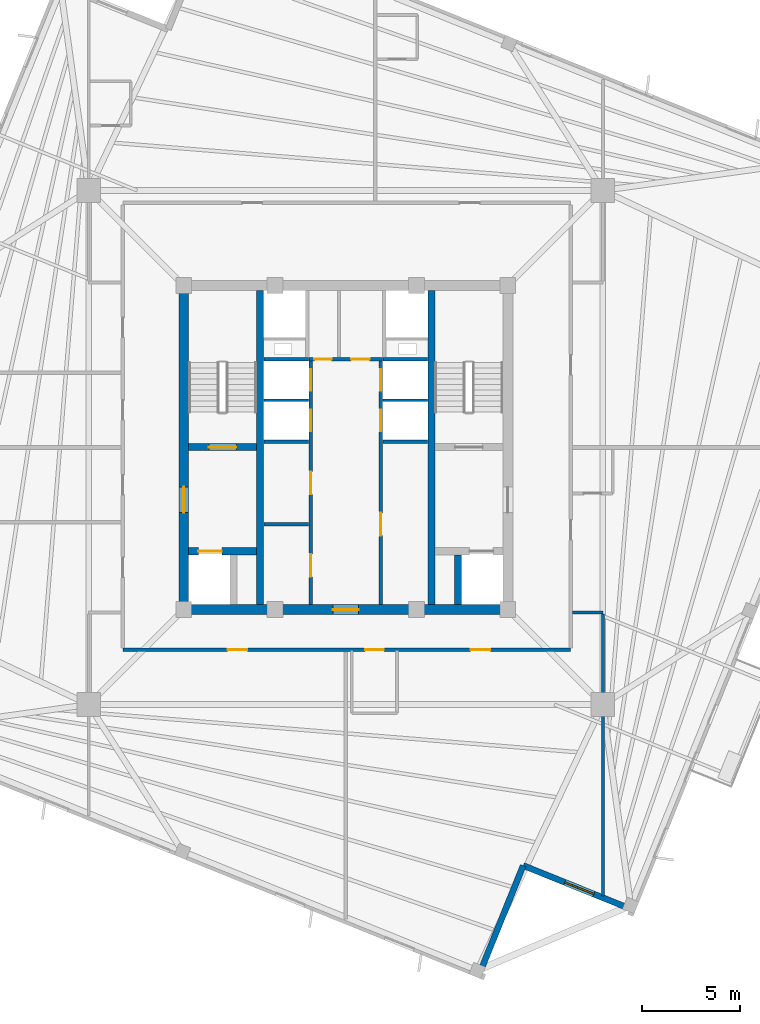
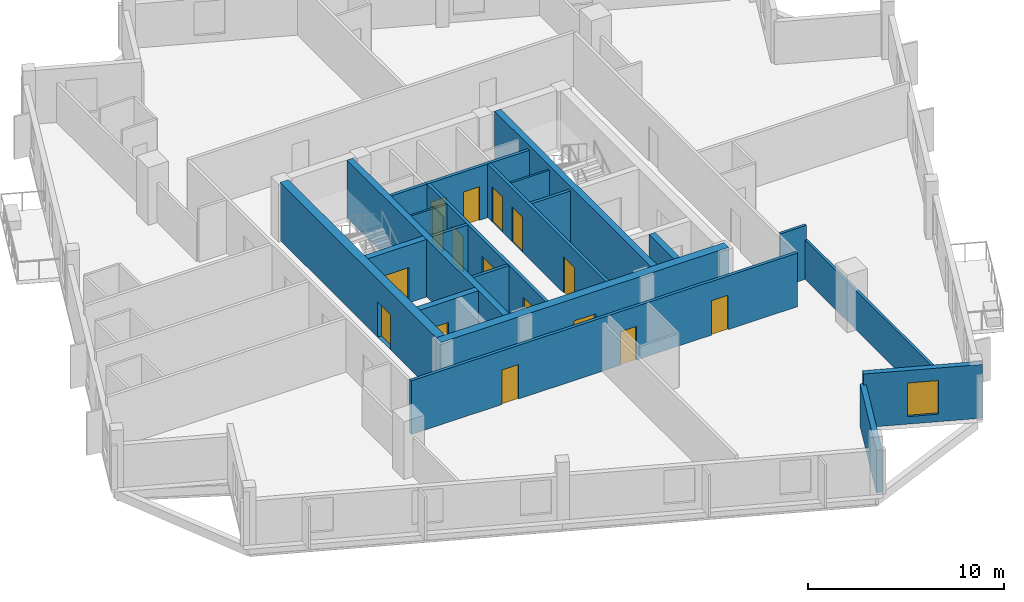
# One storey, part 3 of 8: 22 walls, 16 doors, 1 window, 17 openings.
"""IFC4 building model written with IfcOpenShell, lengths in metres."""

from ifc_helpers import new_model, si_unit, direction, frame, frame_2d, origin, place, context, subcontext, project, spatial, rectangle, extrude, source, transform, mapped, material, layer, layer_set, type_object, element, fill, save


model = new_model("IFC4")

# Units and contexts
model_context = context("Model", 3, precision=1e-05, world=origin(), true_north=direction((0.0, 1.0)))
body_context = subcontext(model_context, "Body", "Model", "MODEL_VIEW")
ifc_project = project(units=[si_unit("LENGTHUNIT", "METRE"), si_unit("AREAUNIT", "SQUARE_METRE"), si_unit("VOLUMEUNIT", "CUBIC_METRE"), si_unit("PLANEANGLEUNIT", "RADIAN"), si_unit("MASSUNIT", "GRAM", prefix="KILO"), si_unit("THERMODYNAMICTEMPERATUREUNIT", "KELVIN")], contexts=[model_context])

# Site, building, storey
site_placement = place(None, origin())
site = spatial("IfcSite", under=ifc_project, at=site_placement, CompositionType="ELEMENT")
building_placement = place(site_placement, origin())
building = spatial("IfcBuilding", under=site, at=building_placement, Name="Kosmvard Interchange Tower", CompositionType="ELEMENT")
storey_placement = place(building_placement, frame((0.0, 0.0, 294.0)))
storey = spatial("IfcBuildingStorey", under=building, at=storey_placement, Name="L72", CompositionType="ELEMENT", Elevation=294.0)

# Walls
ifc_material_1 = material(Name="Acoustic gypsum partition system")
ifc_layer_1 = layer(ifc_material_1, 0.14990234375, Name="Acoustic gypsum partition system")
ifc_layer_set_1 = layer_set([ifc_layer_1], Name="Acoustic gypsum partition system")
wall_type_1 = type_object("IfcWallType", Name="Acoustic Suite & Meeting Partition 150", PredefinedType="PARTITIONING", material=ifc_layer_set_1)
wall_1_placement = place(storey_placement, frame((11.544921875, -8.39990234375, 0.0), z_axis=(0.0, 0.0, 1.0), x_axis=(1.0, 0.0, 0.0)))
element("IfcWall", 1, at=wall_1_placement, inside=storey, type_object=wall_type_1, Name="L72 Room Partition 11.1", PredefinedType="PARTITIONING", context=body_context, shape_type="SweptSolid", body=[
    extrude(rectangle(XDim=1.5361328125, YDim=0.14990234375, at=frame_2d((0.76806640625, 0.0))), origin(), (0.0, 0.0, 1.0), 3.35009765625),
])
wall_2_placement = place(storey_placement, frame((13.0810546875, -8.47509765625, 0.0), z_axis=(0.0, 0.0, 1.0), x_axis=(0.0, -1.0, 0.0)))
element("IfcWall", 2, at=wall_2_placement, inside=storey, type_object=wall_type_1, Name="L72 Room Partition 12.1", PredefinedType="PARTITIONING", context=body_context, shape_type="SweptSolid", body=[
    extrude(rectangle(XDim=14.341552734375, YDim=0.14990234375, at=frame_2d((7.1708984375, 0.0))), origin(), (0.0, 0.0, 1.0), 2.449951171875),
])

# Wall, openings, doors
ifc_material_2 = material(Name="Fire-rated gypsum partition system")
ifc_layer_2 = layer(ifc_material_2, 0.179931640625, Name="Fire-rated gypsum partition system")
ifc_layer_set_2 = layer_set([ifc_layer_2], Name="Fire-rated gypsum partition system")
wall_type_2 = type_object("IfcWallType", Name="Corridor & Hotel Compartment Partition 180", PredefinedType="PARTITIONING", material=ifc_layer_set_2)
wall_3_placement = place(storey_placement, frame((-1.7900390625, -7.97998046875, 0.0), z_axis=(0.0, 0.0, 1.0), x_axis=(0.0, 1.0, 0.0)))
wall_3 = element("IfcWall", 3, at=wall_3_placement, inside=storey, type_object=wall_type_2, Name="L72 West Lift Bank Front Wall", PredefinedType="PARTITIONING", context=body_context, shape_type="SweptSolid", body=[
    extrude(rectangle(XDim=12.3798828125, YDim=0.179931640625, at=frame_2d((6.18994140625, 0.0))), origin(), (0.0, 0.0, 1.0), 3.35009765625),
])
opening_1_placement = place(wall_3_placement, frame((8.800048828125, 0.0, 0.0)))
opening_1 = element("IfcOpeningElement", 4, at=opening_1_placement, cuts=wall_3, Name="Opening LD-PL-H1-L72", PredefinedType="OPENING", context=body_context, shape_type="SweptSolid", body=[
    extrude(rectangle(XDim=1.10009765625, YDim=2.199951171875, at=frame_2d((0.550048828125, 1.10009765625))), frame((0.0, 0.10009765625, 0.0), z_axis=(0.0, -1.0, 0.0), x_axis=(1.0, 0.0, 0.0)), (0.0, 0.0, 1.0), 0.199951171875),
])
opening_2_placement = place(wall_3_placement, frame((10.860107421875, 0.0, 0.0)))
opening_2 = element("IfcOpeningElement", 5, at=opening_2_placement, cuts=wall_3, Name="Opening LD-PL-H2-L72", PredefinedType="OPENING", context=body_context, shape_type="SweptSolid", body=[
    extrude(rectangle(XDim=1.10009765625, YDim=2.199951171875, at=frame_2d((0.550048828125, 1.10009765625))), frame((0.0, 0.10009765625, 0.0), z_axis=(0.0, -1.0, 0.0), x_axis=(1.0, 0.0, 0.0)), (0.0, 0.0, 1.0), 0.199951171875),
])
opening_3_placement = place(wall_3_placement, frame((1.39990234375, 0.0, 0.0)))
opening_3 = element("IfcOpeningElement", 6, at=opening_3_placement, cuts=wall_3, Name="Opening L72-CD1", PredefinedType="OPENING", context=body_context, shape_type="SweptSolid", body=[
    extrude(rectangle(XDim=1.14990234375, YDim=2.25, at=frame_2d((0.574951171875, 1.125))), frame((0.0, 0.10009765625, 0.0), z_axis=(0.0, -1.0, 0.0), x_axis=(1.0, 0.0, 0.0)), (0.0, 0.0, 1.0), 0.199951171875),
])
opening_4_placement = place(wall_3_placement, frame((5.60009765625, 0.0, 0.0)))
opening_4 = element("IfcOpeningElement", 7, at=opening_4_placement, cuts=wall_3, Name="Opening L72-CD2", PredefinedType="OPENING", context=body_context, shape_type="SweptSolid", body=[
    extrude(rectangle(XDim=1.14990234375, YDim=2.25, at=frame_2d((0.574951171875, 1.125))), frame((0.0, 0.10009765625, 0.0), z_axis=(0.0, -1.0, 0.0), x_axis=(1.0, 0.0, 0.0)), (0.0, 0.0, 1.0), 0.199951171875),
])
ifc_material_3 = material(Name="Painted fire-rated steel leaf", Category="steel")
door_type_1 = type_object("IfcDoorType", Name="Plant & Riser Fire Door 1150x2250 EI60", OperationType="NOTDEFINED", PredefinedType="DOOR", material=ifc_material_3)
shared_shape_1 = source(origin(), body_context, "Body", "SweptSolid", [
    extrude(rectangle(XDim=1.14990234375, YDim=2.25, at=frame_2d((0.574951171875, 1.125))), frame((0.0, 0.02490234375, 0.0), z_axis=(0.0, -1.0, 0.0), x_axis=(1.0, 0.0, 0.0)), (0.0, 0.0, 1.0), 0.050048828125),
])
door_1_placement = place(opening_3_placement, origin())
door_1 = element("IfcDoor", 8, at=door_1_placement, inside=storey, type_object=door_type_1, Name="L72 Core Archive Door", OperationType="SINGLE_SWING_LEFT", OverallHeight=2.25, OverallWidth=1.14990234375, PredefinedType="DOOR", context=body_context, shape_type="MappedRepresentation", body=[
    mapped(shared_shape_1, transform((0.0, 0.0, 0.0), scale=1.0)),
])
fill(opening_3, door_1)
door_2_placement = place(opening_4_placement, origin())
door_2 = element("IfcDoor", 9, at=door_2_placement, inside=storey, type_object=door_type_1, Name="L72 Mid Core Housekeeping Door", OperationType="SINGLE_SWING_RIGHT", OverallHeight=2.25, OverallWidth=1.14990234375, PredefinedType="DOOR", context=body_context, shape_type="MappedRepresentation", body=[
    mapped(shared_shape_1, transform((0.0, 0.0, 0.0), scale=1.0)),
])
fill(opening_4, door_2)
ifc_material_4 = material(Name="Brushed stainless steel sliding leaf", Category="steel")
door_type_2 = type_object("IfcDoorType", Name="Passenger Lift Sliding Landing Door 1100x2200 EI60", OperationType="DOUBLE_DOOR_SLIDING", PredefinedType="DOOR", material=ifc_material_4)
shared_shape_2 = source(origin(), body_context, "Body", "SweptSolid", [
    extrude(rectangle(XDim=1.10009765625, YDim=2.199951171875, at=frame_2d((0.550048828125, 1.10009765625))), frame((0.0, 0.02490234375, 0.0), z_axis=(0.0, -1.0, 0.0), x_axis=(1.0, 0.0, 0.0)), (0.0, 0.0, 1.0), 0.050048828125),
])
door_3_placement = place(opening_1_placement, frame((1.10009765625, 0.0, 0.0), z_axis=(0.0, 0.0, 1.0), x_axis=(-1.0, 0.0, 0.0)))
door_3 = element("IfcDoor", 10, at=door_3_placement, inside=storey, type_object=door_type_2, Name="Lift PL-H1 Landing Door L72", OperationType="DOUBLE_DOOR_SLIDING", OverallHeight=2.199951171875, OverallWidth=1.10009765625, PredefinedType="DOOR", context=body_context, shape_type="MappedRepresentation", body=[
    mapped(shared_shape_2, transform((0.0, 0.0, 0.0), scale=1.0)),
])
fill(opening_1, door_3)
door_4_placement = place(opening_2_placement, frame((1.10009765625, 0.0, 0.0), z_axis=(0.0, 0.0, 1.0), x_axis=(-1.0, 0.0, 0.0)))
door_4 = element("IfcDoor", 11, at=door_4_placement, inside=storey, type_object=door_type_2, Name="Lift PL-H2 Landing Door L72", OperationType="DOUBLE_DOOR_SLIDING", OverallHeight=2.199951171875, OverallWidth=1.10009765625, PredefinedType="DOOR", context=body_context, shape_type="MappedRepresentation", body=[
    mapped(shared_shape_2, transform((0.0, 0.0, 0.0), scale=1.0)),
])
fill(opening_2, door_4)

wall_4_placement = place(storey_placement, frame((1.7900390625, -7.97998046875, 0.0), z_axis=(0.0, 0.0, 1.0), x_axis=(0.0, 1.0, 0.0)))
wall_4 = element("IfcWall", 12, at=wall_4_placement, inside=storey, type_object=wall_type_2, Name="L72 East Lift Bank Front Wall", PredefinedType="PARTITIONING", context=body_context, shape_type="SweptSolid", body=[
    extrude(rectangle(XDim=12.3798828125, YDim=0.179931640625, at=frame_2d((6.18994140625, 0.0))), origin(), (0.0, 0.0, 1.0), 3.35009765625),
])
opening_5_placement = place(wall_4_placement, frame((8.800048828125, 0.0, 0.0)))
opening_5 = element("IfcOpeningElement", 13, at=opening_5_placement, cuts=wall_4, Name="Opening LD-PL-H3-L72", PredefinedType="OPENING", context=body_context, shape_type="SweptSolid", body=[
    extrude(rectangle(XDim=1.10009765625, YDim=2.199951171875, at=frame_2d((0.550048828125, 1.10009765625))), frame((0.0, 0.10009765625, 0.0), z_axis=(0.0, -1.0, 0.0), x_axis=(1.0, 0.0, 0.0)), (0.0, 0.0, 1.0), 0.199951171875),
])
opening_6_placement = place(wall_4_placement, frame((10.860107421875, 0.0, 0.0)))
opening_6 = element("IfcOpeningElement", 14, at=opening_6_placement, cuts=wall_4, Name="Opening LD-PL-H4-L72", PredefinedType="OPENING", context=body_context, shape_type="SweptSolid", body=[
    extrude(rectangle(XDim=1.10009765625, YDim=2.199951171875, at=frame_2d((0.550048828125, 1.10009765625))), frame((0.0, 0.10009765625, 0.0), z_axis=(0.0, -1.0, 0.0), x_axis=(1.0, 0.0, 0.0)), (0.0, 0.0, 1.0), 0.199951171875),
])
opening_7_placement = place(wall_4_placement, frame((3.5, 0.0, 0.0)))
opening_7 = element("IfcOpeningElement", 15, at=opening_7_placement, cuts=wall_4, Name="Opening L72-CD3", PredefinedType="OPENING", context=body_context, shape_type="SweptSolid", body=[
    extrude(rectangle(XDim=1.14990234375, YDim=2.25, at=frame_2d((0.574951171875, 1.125))), frame((0.0, 0.10009765625, 0.0), z_axis=(0.0, -1.0, 0.0), x_axis=(1.0, 0.0, 0.0)), (0.0, 0.0, 1.0), 0.199951171875),
])
door_5_placement = place(opening_7_placement, frame((1.14990234375, 0.0, 0.0), z_axis=(0.0, 0.0, 1.0), x_axis=(-1.0, 0.0, 0.0)))
door_5 = element("IfcDoor", 16, at=door_5_placement, inside=storey, type_object=door_type_1, Name="L72 Core Data Switch Door", OperationType="SINGLE_SWING_LEFT", OverallHeight=2.25, OverallWidth=1.14990234375, PredefinedType="DOOR", context=body_context, shape_type="MappedRepresentation", body=[
    mapped(shared_shape_1, transform((0.0, 0.0, 0.0), scale=1.0)),
])
fill(opening_7, door_5)
door_6_placement = place(opening_5_placement, origin())
door_6 = element("IfcDoor", 17, at=door_6_placement, inside=storey, type_object=door_type_2, Name="Lift PL-H3 Landing Door L72", OperationType="DOUBLE_DOOR_SLIDING", OverallHeight=2.199951171875, OverallWidth=1.10009765625, PredefinedType="DOOR", context=body_context, shape_type="MappedRepresentation", body=[
    mapped(shared_shape_2, transform((0.0, 0.0, 0.0), scale=1.0)),
])
fill(opening_5, door_6)
door_7_placement = place(opening_6_placement, origin())
door_7 = element("IfcDoor", 18, at=door_7_placement, inside=storey, type_object=door_type_2, Name="Lift PL-H4 Landing Door L72", OperationType="DOUBLE_DOOR_SLIDING", OverallHeight=2.199951171875, OverallWidth=1.10009765625, PredefinedType="DOOR", context=body_context, shape_type="MappedRepresentation", body=[
    mapped(shared_shape_2, transform((0.0, 0.0, 0.0), scale=1.0)),
])
fill(opening_6, door_7)

wall_5_placement = place(storey_placement, frame((-1.8798828125, 4.489990234375, 0.0), z_axis=(0.0, 0.0, 1.0), x_axis=(1.0, 0.0, 0.0)))
wall_5 = element("IfcWall", 19, at=wall_5_placement, inside=storey, type_object=wall_type_2, Name="L72 Lift Lobby North Partition", PredefinedType="PARTITIONING", context=body_context, shape_type="SweptSolid", body=[
    extrude(rectangle(XDim=3.759765625, YDim=0.179931640625, at=frame_2d((1.8798828125, 0.0))), origin(), (0.0, 0.0, 1.0), 3.35009765625),
])
opening_8_placement = place(wall_5_placement, frame((0.280029296875, 0.0, 0.0)))
opening_8 = element("IfcOpeningElement", 20, at=opening_8_placement, cuts=wall_5, Name="Opening L72-KD1", PredefinedType="OPENING", context=body_context, shape_type="SweptSolid", body=[
    extrude(rectangle(XDim=0.8798828125, YDim=2.10009765625, at=frame_2d((0.43994140625, 1.050048828125))), frame((0.0, 0.10009765625, 0.0), z_axis=(0.0, -1.0, 0.0), x_axis=(1.0, 0.0, 0.0)), (0.0, 0.0, 1.0), 0.199951171875),
])
opening_9_placement = place(wall_5_placement, frame((2.14990234375, 0.0, 0.0)))
opening_9 = element("IfcOpeningElement", 21, at=opening_9_placement, cuts=wall_5, Name="Opening L72-KD2", PredefinedType="OPENING", context=body_context, shape_type="SweptSolid", body=[
    extrude(rectangle(XDim=0.949951171875, YDim=2.10009765625, at=frame_2d((0.47509765625, 1.050048828125))), frame((0.0, 0.10009765625, 0.0), z_axis=(0.0, -1.0, 0.0), x_axis=(1.0, 0.0, 0.0)), (0.0, 0.0, 1.0), 0.199951171875),
])
ifc_material_5 = material(Name="Painted fire-rated timber leaf", Category="wood")
door_type_3 = type_object("IfcDoorType", Name="Core Service Fire Door 950x2100 EI30", OperationType="NOTDEFINED", PredefinedType="DOOR", material=ifc_material_5)
shared_shape_3 = source(origin(), body_context, "Body", "SweptSolid", [
    extrude(rectangle(XDim=0.949951171875, YDim=2.10009765625, at=frame_2d((0.47509765625, 1.050048828125))), frame((0.0, 0.02490234375, 0.0), z_axis=(0.0, -1.0, 0.0), x_axis=(1.0, 0.0, 0.0)), (0.0, 0.0, 1.0), 0.050048828125),
])
door_8_placement = place(opening_9_placement, origin())
door_8 = element("IfcDoor", 22, at=door_8_placement, inside=storey, type_object=door_type_3, Name="L72 Core Tea Pantry Door", OperationType="SINGLE_SWING_RIGHT", OverallHeight=2.10009765625, OverallWidth=0.949951171875, PredefinedType="DOOR", context=body_context, shape_type="MappedRepresentation", body=[
    mapped(shared_shape_3, transform((0.0, 0.0, 0.0), scale=1.0)),
])
fill(opening_9, door_8)
door_type_4 = type_object("IfcDoorType", Name="Core Cupboard Fire Door 880x2100 EI30", OperationType="NOTDEFINED", PredefinedType="DOOR", material=ifc_material_5)
shared_shape_4 = source(origin(), body_context, "Body", "SweptSolid", [
    extrude(rectangle(XDim=0.8798828125, YDim=2.10009765625, at=frame_2d((0.43994140625, 1.050048828125))), frame((0.0, 0.02490234375, 0.0), z_axis=(0.0, -1.0, 0.0), x_axis=(1.0, 0.0, 0.0)), (0.0, 0.0, 1.0), 0.050048828125),
])
door_9_placement = place(opening_8_placement, origin())
door_9 = element("IfcDoor", 23, at=door_9_placement, inside=storey, type_object=door_type_4, Name="L72 Core Cleaner Cupboard Door", OperationType="SINGLE_SWING_LEFT", OverallHeight=2.10009765625, OverallWidth=0.8798828125, PredefinedType="DOOR", context=body_context, shape_type="MappedRepresentation", body=[
    mapped(shared_shape_4, transform((0.0, 0.0, 0.0), scale=1.0)),
])
fill(opening_8, door_9)

wall_6_placement = place(storey_placement, frame((-11.35009765625, -10.300048828125, 0.0), z_axis=(0.0, 0.0, 1.0), x_axis=(1.0, 0.0, 0.0)))
wall_6 = element("IfcWall", 24, at=wall_6_placement, inside=storey, type_object=wall_type_2, Name="L72 Corridor Wall CS", PredefinedType="PARTITIONING", context=body_context, shape_type="SweptSolid", body=[
    extrude(rectangle(XDim=22.800048828125, YDim=0.179931640625, at=frame_2d((11.39990234375, 0.0))), origin(), (0.0, 0.0, 1.0), 3.35009765625),
])
opening_10_placement = place(wall_6_placement, frame((12.336181640625, 0.0, 0.0)))
opening_10 = element("IfcOpeningElement", 25, at=opening_10_placement, cuts=wall_6, Name="Opening L72-D01", PredefinedType="OPENING", context=body_context, shape_type="SweptSolid", body=[
    extrude(rectangle(XDim=0.949951171875, YDim=2.10009765625, at=frame_2d((0.47509765625, 1.050048828125))), frame((0.0, 0.10009765625, 0.0), z_axis=(0.0, -1.0, 0.0), x_axis=(1.0, 0.0, 0.0)), (0.0, 0.0, 1.0), 0.199951171875),
])
opening_11_placement = place(wall_6_placement, frame((17.7099609375, 0.0, 0.0)))
opening_11 = element("IfcOpeningElement", 26, at=opening_11_placement, cuts=wall_6, Name="Opening L72-D13", PredefinedType="OPENING", context=body_context, shape_type="SweptSolid", body=[
    extrude(rectangle(XDim=1.0, YDim=2.14990234375, at=frame_2d((0.5, 1.074951171875))), frame((0.0, 0.10009765625, 0.0), z_axis=(0.0, -1.0, 0.0), x_axis=(1.0, 0.0, 0.0)), (0.0, 0.0, 1.0), 0.199951171875),
])
opening_12_placement = place(wall_6_placement, frame((5.33935546875, 0.0, 0.0)))
opening_12 = element("IfcOpeningElement", 27, at=opening_12_placement, cuts=wall_6, Name="Opening L72-D14", PredefinedType="OPENING", context=body_context, shape_type="SweptSolid", body=[
    extrude(rectangle(XDim=1.0, YDim=2.14990234375, at=frame_2d((0.5, 1.074951171875))), frame((0.0, 0.10009765625, 0.0), z_axis=(0.0, -1.0, 0.0), x_axis=(1.0, 0.0, 0.0)), (0.0, 0.0, 1.0), 0.199951171875),
])
ifc_material_6 = material(Name="Laminated moisture-resistant timber", Category="wood")
door_type_5 = type_object("IfcDoorType", Name="Accessible Washroom Door 950x2100", OperationType="NOTDEFINED", PredefinedType="DOOR", material=ifc_material_6)
door_10_placement = place(opening_10_placement, frame((0.949951171875, 0.0, 0.0), z_axis=(0.0, 0.0, 1.0), x_axis=(-1.0, 0.0, 0.0)))
door_10 = element("IfcDoor", 28, at=door_10_placement, inside=storey, type_object=door_type_5, Name="L72 Accessible Guest Toilet Door", OperationType="SINGLE_SWING_LEFT", OverallHeight=2.10009765625, OverallWidth=0.949951171875, PredefinedType="DOOR", context=body_context, shape_type="MappedRepresentation", body=[
    mapped(shared_shape_3, transform((0.0, 0.0, 0.0), scale=1.0)),
])
fill(opening_10, door_10)
ifc_material_7 = material(Name="Engineered oak fire-rated timber", Category="wood")
door_type_6 = type_object("IfcDoorType", Name="Hotel Guestroom Entrance Door 1000x2150 EI60", OperationType="NOTDEFINED", PredefinedType="DOOR", material=ifc_material_7)
shared_shape_5 = source(origin(), body_context, "Body", "SweptSolid", [
    extrude(rectangle(XDim=1.0, YDim=2.14990234375, at=frame_2d((0.5, 1.074951171875))), frame((0.0, 0.02490234375, 0.0), z_axis=(0.0, -1.0, 0.0), x_axis=(1.0, 0.0, 0.0)), (0.0, 0.0, 1.0), 0.050048828125),
])
door_11_placement = place(opening_11_placement, frame((1.0, 0.0, 0.0), z_axis=(0.0, 0.0, 1.0), x_axis=(-1.0, 0.0, 0.0)))
door_11 = element("IfcDoor", 29, at=door_11_placement, inside=storey, type_object=door_type_6, Name="L72 Housekeeping and Linen Room Door", OperationType="SINGLE_SWING_LEFT", OverallHeight=2.14990234375, OverallWidth=1.0, PredefinedType="DOOR", context=body_context, shape_type="MappedRepresentation", body=[
    mapped(shared_shape_5, transform((0.0, 0.0, 0.0), scale=1.0)),
])
fill(opening_11, door_11)
door_12_placement = place(opening_12_placement, frame((1.0, 0.0, 0.0), z_axis=(0.0, 0.0, 1.0), x_axis=(-1.0, 0.0, 0.0)))
door_12 = element("IfcDoor", 30, at=door_12_placement, inside=storey, type_object=door_type_6, Name="L72 Hotel Servery Pantry Door", OperationType="SINGLE_SWING_RIGHT", OverallHeight=2.14990234375, OverallWidth=1.0, PredefinedType="DOOR", context=body_context, shape_type="MappedRepresentation", body=[
    mapped(shared_shape_5, transform((0.0, 0.0, 0.0), scale=1.0)),
])
fill(opening_12, door_12)

# Walls
ifc_material_8 = material(Name="Concrete blockwork masonry", Category="masonry")
ifc_layer_3 = layer(ifc_material_8, 0.179931640625, Name="Concrete blockwork masonry")
ifc_layer_set_3 = layer_set([ifc_layer_3], Name="Concrete blockwork masonry")
wall_type_3 = type_object("IfcWallType", Name="Riser & Lift Bank Divider Wall 180", PredefinedType="PARTITIONING", material=ifc_layer_set_3)
for number, where, z_axis, x_axis, name in (
    (31, (-4.169921875, -3.89990234375, 0.0), (0.0, 0.0, 1.0), (1.0, 0.0, 0.0), "L72 West Bank Divider BD1"),
    (32, (-4.169921875, 0.300048828125, 0.0), (0.0, 0.0, 1.0), (1.0, 0.0, 0.0), "L72 West Bank Divider BD2"),
    (33, (1.889892578125, 0.300048828125, 0.0), (0.0, 0.0, 1.0), (1.0, 0.0, 0.0), "L72 East Bank Divider BD2"),
    (34, (-4.169921875, 4.489990234375, 0.0), (0.0, 0.0, 1.0), (1.0, 0.0, 0.0), "L72 West Bank Divider BD3"),
    (35, (1.889892578125, 4.489990234375, 0.0), (0.0, 0.0, 1.0), (1.0, 0.0, 0.0), "L72 East Bank Divider BD3"),
):
    element("IfcWall", number, at=place(storey_placement, frame(where, z_axis=z_axis, x_axis=x_axis)), inside=storey, type_object=wall_type_3, Name=name, PredefinedType="PARTITIONING", context=body_context, shape_type="SweptSolid", body=[
        extrude(rectangle(XDim=2.280029296875, YDim=0.179931640625, at=frame_2d((1.14013671875, 0.0))), origin(), (0.0, 0.0, 1.0), 3.35009765625),
    ])
ifc_material_9 = material(Name="Fire-rated gypsum shaftwall system")
ifc_layer_4 = layer(ifc_material_9, 0.1201171875, Name="Fire-rated gypsum shaftwall system")
ifc_layer_set_4 = layer_set([ifc_layer_4], Name="Fire-rated gypsum shaftwall system")
wall_type_4 = type_object("IfcWallType", Name="Shaft & Riser Fire Partition 120 EI60", PredefinedType="PARTITIONING", material=ifc_layer_set_4)
for number, where, z_axis, x_axis, name in (
    (36, (-4.159912109375, 2.39990234375, 0.0), (0.0, 0.0, 1.0), (1.0, 0.0, 0.0), "L72 Shaft Divider PL-H1"),
    (37, (1.89990234375, 2.39990234375, 0.0), (0.0, 0.0, 1.0), (1.0, 0.0, 0.0), "L72 Shaft Divider PL-H3"),
):
    element("IfcWall", number, at=place(storey_placement, frame(where, z_axis=z_axis, x_axis=x_axis)), inside=storey, type_object=wall_type_4, Name=name, PredefinedType="PARTITIONING", context=body_context, shape_type="SweptSolid", body=[
        extrude(rectangle(XDim=2.260009765625, YDim=0.1201171875, at=frame_2d((1.1298828125, 0.0))), origin(), (0.0, 0.0, 1.0), 3.35009765625),
    ])
ifc_material_10 = material(Name="Concrete C60/75", Category="concrete")
ifc_layer_5 = layer(ifc_material_10, 0.360107421875, Name="Concrete C60/75")
ifc_layer_set_5 = layer_set([ifc_layer_5], Name="Concrete C60/75")
wall_type_5 = type_object("IfcWallType", Name="Stair & Lift Shaft Shear Wall 360 C60/75", PredefinedType="SHEAR", material=ifc_layer_set_5)
for number, where, z_axis, x_axis, name in (
    (38, (-4.360107421875, -8.0, 0.0), (0.0, 0.0, 1.0), (0.0, 1.0, 0.0), "L72 Shaft Shear Wall SW-W"),
    (39, (4.360107421875, -8.0, 0.0), (0.0, 0.0, 1.0), (0.0, 1.0, 0.0), "L72 Shaft Shear Wall SW-E"),
):
    element("IfcWall", number, at=place(storey_placement, frame(where, z_axis=z_axis, x_axis=x_axis)), inside=storey, type_object=wall_type_5, Name=name, PredefinedType="SHEAR", context=body_context, shape_type="SweptSolid", body=[
        extrude(rectangle(XDim=16.0, YDim=0.360107421875, at=frame_2d((8.0, 0.0))), origin(), (0.0, 0.0, 1.0), 3.60009765625),
    ])

# Wall, opening, door
wall_7_placement = place(storey_placement, frame((-8.0, 0.02001953125, 0.0), z_axis=(0.0, 0.0, 1.0), x_axis=(1.0, 0.0, 0.0)))
wall_7 = element("IfcWall", 40, at=wall_7_placement, inside=storey, type_object=wall_type_5, Name="L72 Shaft Shear Wall SW-ST1", PredefinedType="SHEAR", context=body_context, shape_type="SweptSolid", body=[
    extrude(rectangle(XDim=3.4599609375, YDim=0.360107421875, at=frame_2d((1.72998046875, 0.0))), origin(), (0.0, 0.0, 1.0), 3.60009765625),
])
opening_13_placement = place(wall_7_placement, frame((1.030029296875, 0.0, 0.0)))
opening_13 = element("IfcOpeningElement", 41, at=opening_13_placement, cuts=wall_7, Name="Opening L72-SD1", PredefinedType="OPENING", context=body_context, shape_type="SweptSolid", body=[
    extrude(rectangle(XDim=1.39990234375, YDim=2.199951171875, at=frame_2d((0.699951171875, 1.10009765625))), frame((0.0, 0.18994140625, 0.0), z_axis=(0.0, -1.0, 0.0), x_axis=(1.0, 0.0, 0.0)), (0.0, 0.0, 1.0), 0.380126953125),
])
door_type_7 = type_object("IfcDoorType", Name="Protected Stair Door 1400x2200 FD60S", OperationType="NOTDEFINED", PredefinedType="DOOR", material=ifc_material_3)
shared_shape_6 = source(origin(), body_context, "Body", "SweptSolid", [
    extrude(rectangle(XDim=1.39990234375, YDim=2.199951171875, at=frame_2d((0.699951171875, 1.10009765625))), frame((0.0, 0.02490234375, 0.0), z_axis=(0.0, -1.0, 0.0), x_axis=(1.0, 0.0, 0.0)), (0.0, 0.0, 1.0), 0.050048828125),
])
door_13_placement = place(opening_13_placement, origin())
door_13 = element("IfcDoor", 42, at=door_13_placement, inside=storey, type_object=door_type_7, Name="L72 Stair ST-1 Enclosure Door", OperationType="SINGLE_SWING_LEFT", OverallHeight=2.199951171875, OverallWidth=1.39990234375, PredefinedType="DOOR", context=body_context, shape_type="MappedRepresentation", body=[
    mapped(shared_shape_6, transform((0.0, 0.0, 0.0), scale=1.0)),
])
fill(opening_13, door_13)

wall_8_placement = place(storey_placement, frame((-8.0, -5.280029296875, 0.0), z_axis=(0.0, 0.0, 1.0), x_axis=(1.0, 0.0, 0.0)))
wall_8 = element("IfcWall", 43, at=wall_8_placement, inside=storey, type_object=wall_type_5, Name="L72 Shaft Shear Wall SW-FF1", PredefinedType="SHEAR", context=body_context, shape_type="SweptSolid", body=[
    extrude(rectangle(XDim=3.4599609375, YDim=0.360107421875, at=frame_2d((1.72998046875, 0.0))), origin(), (0.0, 0.0, 1.0), 3.60009765625),
])
opening_14_placement = place(wall_8_placement, frame((0.5, 0.0, 0.0)))
opening_14 = element("IfcOpeningElement", 44, at=opening_14_placement, cuts=wall_8, Name="Opening LD-FF-1-L72", PredefinedType="OPENING", context=body_context, shape_type="SweptSolid", body=[
    extrude(rectangle(XDim=1.199951171875, YDim=2.25, at=frame_2d((0.60009765625, 1.125))), frame((0.0, 0.18994140625, 0.0), z_axis=(0.0, -1.0, 0.0), x_axis=(1.0, 0.0, 0.0)), (0.0, 0.0, 1.0), 0.380126953125),
])
door_type_8 = type_object("IfcDoorType", Name="Firefighting Lift Sliding Landing Door 1200x2250 EI120", OperationType="DOUBLE_DOOR_SLIDING", PredefinedType="DOOR", material=ifc_material_4)
shared_shape_7 = source(origin(), body_context, "Body", "SweptSolid", [
    extrude(rectangle(XDim=1.199951171875, YDim=2.25, at=frame_2d((0.60009765625, 1.125))), frame((0.0, 0.02490234375, 0.0), z_axis=(0.0, -1.0, 0.0), x_axis=(1.0, 0.0, 0.0)), (0.0, 0.0, 1.0), 0.050048828125),
])
door_14_placement = place(opening_14_placement, origin())
door_14 = element("IfcDoor", 45, at=door_14_placement, inside=storey, type_object=door_type_8, Name="Lift FF-1 Landing Door L72", OperationType="DOUBLE_DOOR_SLIDING", OverallHeight=2.25, OverallWidth=1.199951171875, PredefinedType="DOOR", context=body_context, shape_type="MappedRepresentation", body=[
    mapped(shared_shape_7, transform((0.0, 0.0, 0.0), scale=1.0)),
])
fill(opening_14, door_14)

# Wall
wall_9_placement = place(storey_placement, frame((5.7099609375, -8.0, 0.0), z_axis=(0.0, 0.0, 1.0), x_axis=(0.0, 1.0, 0.0)))
element("IfcWall", 46, at=wall_9_placement, inside=storey, type_object=wall_type_5, Name="L72 Shaft Shear Wall SW-SM2", PredefinedType="SHEAR", context=body_context, shape_type="SweptSolid", body=[
    extrude(rectangle(XDim=2.5400390625, YDim=0.360107421875, at=frame_2d((1.27001953125, 0.0))), origin(), (0.0, 0.0, 1.0), 3.60009765625),
])

# Wall, opening, door
ifc_layer_6 = layer(ifc_material_10, 0.5, Name="Concrete C60/75")
ifc_layer_set_6 = layer_set([ifc_layer_6], Name="Concrete C60/75")
wall_type_6 = type_object("IfcWallType", Name="Upper Core Shear Wall 500 C60/75", PredefinedType="SHEAR", material=ifc_layer_set_6)
wall_10_placement = place(storey_placement, frame((-8.5, -8.25, 0.0), z_axis=(0.0, 0.0, 1.0), x_axis=(1.0, 0.0, 0.0)))
wall_10 = element("IfcWall", 47, at=wall_10_placement, inside=storey, type_object=wall_type_6, Name="L72 Core Shear Wall CW-S", PredefinedType="SHEAR", context=body_context, shape_type="SweptSolid", body=[
    extrude(rectangle(XDim=17.0, YDim=0.5, at=frame_2d((8.5, 0.0))), origin(), (0.0, 0.0, 1.0), 3.60009765625),
])
opening_15_placement = place(wall_10_placement, frame((7.85009765625, 0.0, 0.0)))
opening_15 = element("IfcOpeningElement", 48, at=opening_15_placement, cuts=wall_10, Name="Opening L72-LD0", PredefinedType="OPENING", context=body_context, shape_type="SweptSolid", body=[
    extrude(rectangle(XDim=1.300048828125, YDim=2.199951171875, at=frame_2d((0.64990234375, 1.10009765625))), frame((0.0, 0.260009765625, 0.0), z_axis=(0.0, -1.0, 0.0), x_axis=(1.0, 0.0, 0.0)), (0.0, 0.0, 1.0), 0.52001953125),
])
door_type_9 = type_object("IfcDoorType", Name="Firefighting Lobby Door 1300x2200 EI60", OperationType="NOTDEFINED", PredefinedType="DOOR", material=ifc_material_3)
shared_shape_8 = source(origin(), body_context, "Body", "SweptSolid", [
    extrude(rectangle(XDim=1.300048828125, YDim=2.199951171875, at=frame_2d((0.64990234375, 1.10009765625))), frame((0.0, 0.02490234375, 0.0), z_axis=(0.0, -1.0, 0.0), x_axis=(1.0, 0.0, 0.0)), (0.0, 0.0, 1.0), 0.050048828125),
])
door_15_placement = place(opening_15_placement, frame((1.300048828125, 0.0, 0.0), z_axis=(0.0, 0.0, 1.0), x_axis=(-1.0, 0.0, 0.0)))
door_15 = element("IfcDoor", 49, at=door_15_placement, inside=storey, type_object=door_type_9, Name="L72 Passenger Lift Lobby South Door", OperationType="SINGLE_SWING_LEFT", OverallHeight=2.199951171875, OverallWidth=1.300048828125, PredefinedType="DOOR", context=body_context, shape_type="MappedRepresentation", body=[
    mapped(shared_shape_8, transform((0.0, 0.0, 0.0), scale=1.0)),
])
fill(opening_15, door_15)

wall_11_placement = place(storey_placement, frame((-8.25, -8.0, 0.0), z_axis=(0.0, 0.0, 1.0), x_axis=(0.0, 1.0, 0.0)))
wall_11 = element("IfcWall", 50, at=wall_11_placement, inside=storey, type_object=wall_type_6, Name="L72 Core Shear Wall CW-W", PredefinedType="SHEAR", context=body_context, shape_type="SweptSolid", body=[
    extrude(rectangle(XDim=16.0, YDim=0.5, at=frame_2d((8.0, 0.0))), origin(), (0.0, 0.0, 1.0), 3.60009765625),
])
opening_16_placement = place(wall_11_placement, frame((4.68994140625, 0.0, 0.0)))
opening_16 = element("IfcOpeningElement", 51, at=opening_16_placement, cuts=wall_11, Name="Opening L72-FD1", PredefinedType="OPENING", context=body_context, shape_type="SweptSolid", body=[
    extrude(rectangle(XDim=1.300048828125, YDim=2.199951171875, at=frame_2d((0.64990234375, 1.10009765625))), frame((0.0, 0.260009765625, 0.0), z_axis=(0.0, -1.0, 0.0), x_axis=(1.0, 0.0, 0.0)), (0.0, 0.0, 1.0), 0.52001953125),
])
door_16_placement = place(opening_16_placement, frame((1.300048828125, 0.0, 0.0), z_axis=(0.0, 0.0, 1.0), x_axis=(-1.0, 0.0, 0.0)))
door_16 = element("IfcDoor", 52, at=door_16_placement, inside=storey, type_object=door_type_9, Name="L72 Firefighting Lobby West Door", OperationType="SINGLE_SWING_LEFT", OverallHeight=2.199951171875, OverallWidth=1.300048828125, PredefinedType="DOOR", context=body_context, shape_type="MappedRepresentation", body=[
    mapped(shared_shape_8, transform((0.0, 0.0, 0.0), scale=1.0)),
])
fill(opening_16, door_16)

# Wall
ifc_material_11 = material(Name="Precast concrete C45/55", Category="concrete")
ifc_layer_7 = layer(ifc_material_11, 0.31005859375, Name="Precast concrete C45/55")
ifc_layer_set_7 = layer_set([ifc_layer_7], Name="Precast concrete C45/55")
wall_type_7 = type_object("IfcWallType", Name="Upper Tower Precast Pier Wall 310 C45/55", PredefinedType="STANDARD", material=ifc_layer_set_7)
wall_12_placement = place(storey_placement, frame((6.7841796875, -26.8408203125, 0.0), z_axis=(0.0, 0.0, 1.0), x_axis=(0.374636620962, 0.927171722085, 0.0)))
element("IfcWall", 53, at=wall_12_placement, inside=storey, type_object=wall_type_7, Name="L72 Precast Facade Wall N-SW1", PredefinedType="STANDARD", context=body_context, shape_type="SweptSolid", body=[
    extrude(rectangle(XDim=6.0, YDim=0.31005859375, at=frame_2d((3.0, 0.0))), origin(), (0.0, 0.0, 1.0), 2.64990234375),
])

# Wall, opening, window
wall_13_placement = place(storey_placement, frame((9.031982421875, -21.27783203125, 0.0), z_axis=(0.0, 0.0, 1.0), x_axis=(0.927185411764, -0.374602739196, 0.0)))
wall_13 = element("IfcWall", 54, at=wall_13_placement, inside=storey, type_object=wall_type_7, Name="L72 Precast Facade Wall N-SW2", PredefinedType="STANDARD", context=body_context, shape_type="SweptSolid", body=[
    extrude(rectangle(XDim=6.155029296875, YDim=0.31005859375, at=frame_2d((3.07763671875, 0.0))), origin(), (0.0, 0.0, 1.0), 3.35009765625),
])
opening_17_placement = place(wall_13_placement, frame((2.277587890625, 0.0, 0.469970703125)))
opening_17 = element("IfcOpeningElement", 55, at=opening_17_placement, cuts=wall_13, Name="Opening L72-W23", PredefinedType="OPENING", context=body_context, shape_type="SweptSolid", body=[
    extrude(rectangle(XDim=1.60009765625, YDim=2.10009765625, at=frame_2d((0.800048828125, 1.050048828125))), frame((0.0, 0.1650390625, 0.0), z_axis=(0.0, -1.0, 0.0), x_axis=(1.0, 0.0, 0.0)), (0.0, 0.0, 1.0), 0.330078125),
])
ifc_material_12 = material(Name="Low-E acoustic double glazing", Category="glass")
window_type = type_object("IfcWindowType", Name="Zone 5 Hotel Punched Window 1600x2100", PartitioningType="SINGLE_PANEL", PredefinedType="WINDOW", material=ifc_material_12)
shared_shape_9 = source(origin(), body_context, "Body", "SweptSolid", [
    extrude(rectangle(XDim=1.60009765625, YDim=2.10009765625, at=frame_2d((0.800048828125, 1.050048828125))), frame((0.0, 0.030029296875, 0.0), z_axis=(0.0, -1.0, 0.0), x_axis=(1.0, 0.0, 0.0)), (0.0, 0.0, 1.0), 0.06005859375),
])
window_placement = place(opening_17_placement, origin())
window = element("IfcWindow", 56, at=window_placement, inside=storey, type_object=window_type, Name="L72 Corner Notch Window 23", OverallHeight=2.10009765625, OverallWidth=1.60009765625, PartitioningType="SINGLE_PANEL", PredefinedType="WINDOW", context=body_context, shape_type="MappedRepresentation", body=[
    mapped(shared_shape_9, transform((0.0, 0.0, 0.0), scale=1.0)),
])
fill(opening_17, window)

save(model, "model.ifc")
